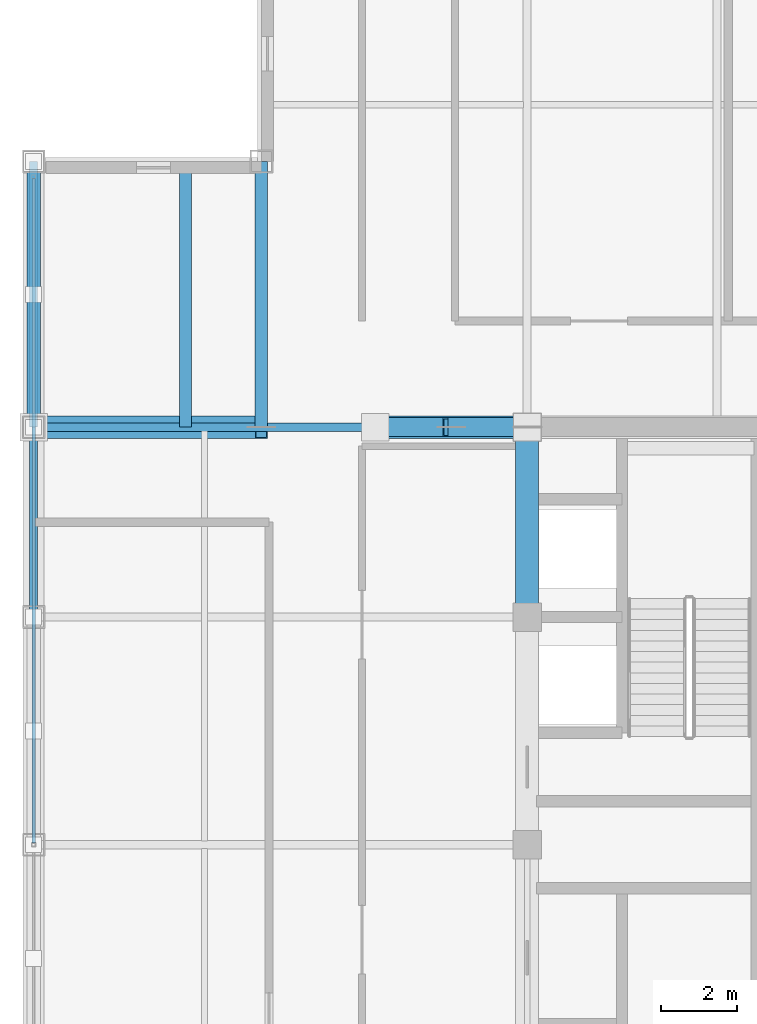
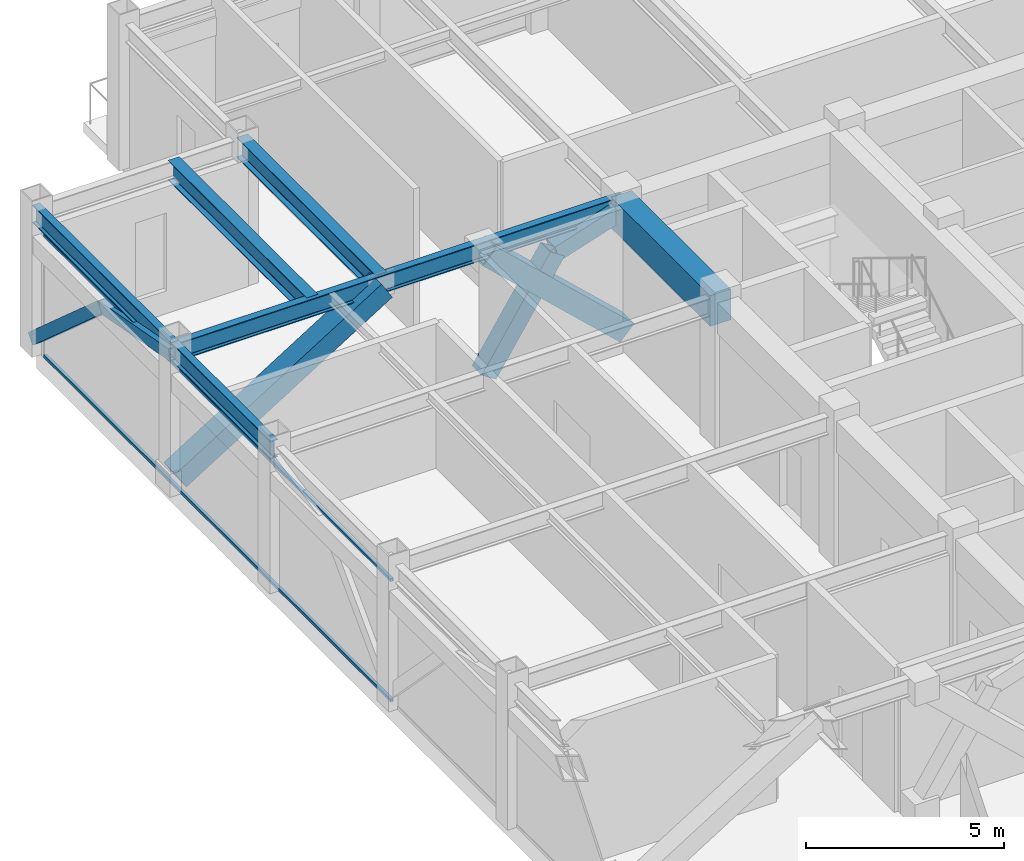
# One storey, part 13 of 32: 8 members, 6 beams, 1 element without a shape of its own.
"""IFC4 building model written with IfcOpenShell, lengths in metres."""

from ifc_helpers import new_model, si_unit, direction, frame, origin, origin_2d, place, context, subcontext, project, spatial, rectangle, hollow_rectangle, i_section, extrude, source, transform, mapped, material, material_profile, profile_set, type_object, element, aggregate, save


model = new_model("IFC4")

# Units and contexts
model_context = context("Model", 3, precision=1e-05, world=origin(), true_north=direction((0.0, 1.0)))
body_context = subcontext(model_context, "Body", "Model", "MODEL_VIEW")
ifc_project = project(units=[si_unit("LENGTHUNIT", "METRE"), si_unit("AREAUNIT", "SQUARE_METRE"), si_unit("VOLUMEUNIT", "CUBIC_METRE"), si_unit("PLANEANGLEUNIT", "RADIAN"), si_unit("MASSUNIT", "GRAM", prefix="KILO")], contexts=[model_context])

# Site, building, storey
site_placement = place(None, origin())
site = spatial("IfcSite", under=ifc_project, at=site_placement, CompositionType="ELEMENT")
building_placement = place(site_placement, origin())
building = spatial("IfcBuilding", under=site, at=building_placement, Name="Khorayat Bourse Tower", CompositionType="ELEMENT")
storey_placement = place(building_placement, frame((0.0, 0.0, 375.5)))
storey = spatial("IfcBuildingStorey", under=building, at=storey_placement, Name="L89", CompositionType="ELEMENT", Elevation=375.5)

# Member
ifc_material_1 = material(Name="Steel EN 10025-4 S460M", Category="steel")
ifc_material_profile_1 = material_profile(ifc_material_1, hollow_rectangle(XDim=0.5, YDim=0.5, WallThickness=0.028076171875, at=origin_2d()), Name="HSS 500x500x28")
ifc_profile_set_1 = profile_set([ifc_material_profile_1], Name="Steel EN 10025-4 S460M")
member_type_1 = type_object("IfcMemberType", Name="MBR-TRUSS-500", PredefinedType="CHORD", material=ifc_profile_set_1)
shared_shape_1 = source(origin(), body_context, "Body", "SweptSolid", [
    extrude(hollow_rectangle(XDim=0.5, YDim=0.5, WallThickness=0.028076171875, at=origin_2d()), origin(), (0.0, 0.0, 1.0), 3.68896484375),
])
member_1_placement = place(storey_placement, frame((-13.0, 11.0, 3.449951171875), z_axis=(-0.542144958519, 0.0, -0.840284977822), x_axis=(0.0, -1.0, 0.0)))
element("IfcMember", 1, at=member_1_placement, inside=storey, type_object=member_type_1, Name="L89 Plant Belt Web Diagonal 04", PredefinedType="CHORD", context=body_context, shape_type="MappedRepresentation", body=[
    mapped(shared_shape_1, transform((0.0, 0.0, 0.0), scale=1.0)),
])

# Beams
ifc_material_2 = material(Name="Concrete C60/75", Category="concrete")
ifc_material_profile_2 = material_profile(ifc_material_2, rectangle(XDim=0.60009765625, YDim=0.949951171875, at=origin_2d()), Name="RC 600x950")
ifc_profile_set_2 = profile_set([ifc_material_profile_2], Name="Concrete C60/75")
beam_type_1 = type_object("IfcBeamType", Name="BM-COUP-950", PredefinedType="BEAM", material=ifc_profile_set_2)
shared_shape_2 = source(origin(), body_context, "Body", "SweptSolid", [
    extrude(rectangle(XDim=0.60009765625, YDim=0.949951171875, at=origin_2d()), origin(), (0.0, 0.0, 1.0), 5.0),
])
beam_1_placement = place(storey_placement, frame((-11.0, 6.0, 3.97509765625), z_axis=(0.0, 1.0, 0.0), x_axis=(-1.0, 0.0, 0.0)))
element("IfcBeam", 2, at=beam_1_placement, inside=storey, type_object=beam_type_1, Name="L89 BM-COUP-950 BM-L89-CRX-04", PredefinedType="BEAM", context=body_context, shape_type="MappedRepresentation", body=[
    mapped(shared_shape_2, transform((0.0, 0.0, 0.0), scale=1.0)),
])
ifc_material_3 = material(Name="Steel ASTM A992 Grade 50", Category="steel")
ifc_material_profile_3 = material_profile(ifc_material_3, i_section(OverallWidth=0.214111328125, OverallDepth=0.549072265625, WebThickness=0.0146484375, FlangeThickness=0.023681640625, FilletRadius=0.013916015625, at=origin_2d()), Name="W530X138")
ifc_profile_set_3 = profile_set([ifc_material_profile_3], Name="Steel ASTM A992 Grade 50")
beam_type_2 = type_object("IfcBeamType", Name="BM-SPAN-530", PredefinedType="SPANDREL", material=ifc_profile_set_3)
shared_shape_3 = source(origin(), body_context, "Body", "SweptSolid", [
    extrude(i_section(OverallWidth=0.214111328125, OverallDepth=0.549072265625, WebThickness=0.0146484375, FlangeThickness=0.023681640625, FilletRadius=0.013916015625, at=origin_2d()), origin(), (0.0, 0.0, 1.0), 5.0),
])
beam_2_placement = place(storey_placement, frame((-24.0, 6.0, 4.175537109375), z_axis=(0.0, 1.0, 0.0), x_axis=(-1.0, 0.0, 0.0)))
element("IfcBeam", 3, at=beam_2_placement, inside=storey, type_object=beam_type_2, Name="L89 BM-SPAN-530 BM-L89-SPN-049", PredefinedType="SPANDREL", context=body_context, shape_type="MappedRepresentation", body=[
    mapped(shared_shape_3, transform((0.0, 0.0, 0.0), scale=1.0)),
])
shared_shape_4 = source(origin(), body_context, "Body", "SweptSolid", [
    extrude(i_section(OverallWidth=0.214111328125, OverallDepth=0.549072265625, WebThickness=0.0146484375, FlangeThickness=0.023681640625, FilletRadius=0.013916015625, at=origin_2d()), origin(), (0.0, 0.0, 1.0), 7.0),
])
beam_3_placement = place(storey_placement, frame((-24.0, 11.0, 4.175537109375), z_axis=(0.0, 1.0, 0.0), x_axis=(-1.0, 0.0, 0.0)))
element("IfcBeam", 4, at=beam_3_placement, inside=storey, type_object=beam_type_2, Name="L89 BM-SPAN-530 BM-L89-SPN-048", PredefinedType="SPANDREL", context=body_context, shape_type="MappedRepresentation", body=[
    mapped(shared_shape_4, transform((0.0, 0.0, 0.0), scale=1.0)),
])
ifc_material_profile_4 = material_profile(ifc_material_3, i_section(OverallWidth=0.214111328125, OverallDepth=0.549072265625, WebThickness=0.0146484375, FlangeThickness=0.023681640625, FilletRadius=0.013916015625, at=origin_2d()), Name="W530X138")
ifc_profile_set_4 = profile_set([ifc_material_profile_4], Name="Steel ASTM A992 Grade 50")
beam_type_3 = type_object("IfcBeamType", Name="BM-GIRD-530", PredefinedType="BEAM", material=ifc_profile_set_4)
shared_shape_5 = source(origin(), body_context, "Body", "SweptSolid", [
    extrude(i_section(OverallWidth=0.214111328125, OverallDepth=0.549072265625, WebThickness=0.0146484375, FlangeThickness=0.023681640625, FilletRadius=0.013916015625, at=origin_2d()), origin(), (0.0, 0.0, 1.0), 13.0),
])
beam_4_placement = place(storey_placement, frame((-24.0, 11.0, 4.175537109375), z_axis=(1.0, 0.0, 0.0), x_axis=(0.0, 1.0, 0.0)))
element("IfcBeam", 5, at=beam_4_placement, inside=storey, type_object=beam_type_3, Name="L89 BM-GIRD-530 BM-L89-RADX-075", PredefinedType="BEAM", context=body_context, shape_type="MappedRepresentation", body=[
    mapped(shared_shape_5, transform((0.0, 0.0, 0.0), scale=1.0)),
])
ifc_material_profile_5 = material_profile(ifc_material_3, i_section(OverallWidth=0.324951171875, OverallDepth=0.615966796875, WebThickness=0.013916015625, FlangeThickness=0.021484375, FilletRadius=0.01611328125, at=origin_2d()), Name="W610X174")
ifc_profile_set_5 = profile_set([ifc_material_profile_5], Name="Steel ASTM A992 Grade 50")
beam_type_4 = type_object("IfcBeamType", Name="BM-GIRD-610", PredefinedType="BEAM", material=ifc_profile_set_5)
shared_shape_6 = source(origin(), body_context, "Body", "SweptSolid", [
    extrude(i_section(OverallWidth=0.324951171875, OverallDepth=0.615966796875, WebThickness=0.013916015625, FlangeThickness=0.021484375, FilletRadius=0.01611328125, at=origin_2d()), origin(), (0.0, 0.0, 1.0), 7.0),
])
for number, where, z_axis, x_axis, name in (
    (6, (-18.0, 11.0, 4.14208984375), (0.0, 1.0, 0.0), (-1.0, 0.0, 0.0), "L89 BM-GIRD-610 BM-L89-CNRY-077"),
    (7, (-20.0, 11.0, 4.14208984375), (0.0, 1.0, 0.0), (-1.0, 0.0, 0.0), "L89 BM-GIRD-610 BM-L89-CNRY-081"),
):
    element("IfcBeam", number, at=place(storey_placement, frame(where, z_axis=z_axis, x_axis=x_axis)), inside=storey, type_object=beam_type_4, Name=name, PredefinedType="BEAM", context=body_context, shape_type="MappedRepresentation", body=[
        mapped(shared_shape_6, transform((0.0, 0.0, 0.0), scale=1.0)),
    ])

# Members
ifc_material_profile_6 = material_profile(ifc_material_1, hollow_rectangle(XDim=0.60009765625, YDim=0.60009765625, WallThickness=0.034912109375, at=origin_2d()), Name="BOX 600x600x35")
ifc_profile_set_6 = profile_set([ifc_material_profile_6], Name="Steel EN 10025-4 S460M")
member_type_2 = type_object("IfcMemberType", Name="MBR-OUTRIG-600", PredefinedType="BRACE", material=ifc_profile_set_6)
shared_shape_7 = source(origin(), body_context, "Body", "SweptSolid", [
    extrude(hollow_rectangle(XDim=0.60009765625, YDim=0.60009765625, WallThickness=0.034912109375, at=origin_2d()), origin(), (0.0, 0.0, 1.0), 5.48291015625),
])
member_2_placement = place(storey_placement, frame((-11.0, 11.0, 0.35009765625), z_axis=(-0.72953720414, 0.0, 0.683941128881), x_axis=(0.0, -1.0, 0.0)))
element("IfcMember", 8, at=member_2_placement, inside=storey, type_object=member_type_2, Name="L89 Outrigger Truss Diagonal 03", PredefinedType="BRACE", context=body_context, shape_type="MappedRepresentation", body=[
    mapped(shared_shape_7, transform((0.0, 0.0, 0.0), scale=1.0)),
])
shared_shape_8 = source(origin(), body_context, "Body", "SweptSolid", [
    extrude(hollow_rectangle(XDim=0.60009765625, YDim=0.60009765625, WallThickness=0.034912109375, at=origin_2d()), origin(), (0.0, 0.0, 1.0), 7.075439453125),
])
member_3_placement = place(storey_placement, frame((-18.0, 11.0, 4.10009765625), z_axis=(-0.847998304005, 0.0, -0.529998940003), x_axis=(0.0, -1.0, 0.0)))
element("IfcMember", 9, at=member_3_placement, inside=storey, type_object=member_type_2, Name="L89 Outrigger Truss Diagonal 04", PredefinedType="BRACE", context=body_context, shape_type="MappedRepresentation", body=[
    mapped(shared_shape_8, transform((0.0, 0.0, 0.0), scale=1.0)),
])
shared_shape_9 = source(origin(), body_context, "Body", "SweptSolid", [
    extrude(hollow_rectangle(XDim=0.5, YDim=0.5, WallThickness=0.028076171875, at=origin_2d()), origin(), (0.0, 0.0, 1.0), 2.10302734375),
])
member_4_placement = place(storey_placement, frame((-11.0, 11.0, 4.10009765625), z_axis=(-0.951013591662, 0.0, -0.309149071606), x_axis=(0.0, -1.0, 0.0)))
element("IfcMember", 10, at=member_4_placement, inside=storey, type_object=member_type_1, Name="L89 Plant Belt Web Diagonal 03", PredefinedType="CHORD", context=body_context, shape_type="MappedRepresentation", body=[
    mapped(shared_shape_9, transform((0.0, 0.0, 0.0), scale=1.0)),
])
ifc_material_4 = material(Name="Steel EN 10025-2 S355J2", Category="steel")
ifc_material_profile_7 = material_profile(ifc_material_4, hollow_rectangle(XDim=0.35009765625, YDim=0.35009765625, WallThickness=0.02001953125, at=origin_2d()), Name="HSS 350x350x20")
ifc_profile_set_7 = profile_set([ifc_material_profile_7], Name="Steel EN 10025-2 S355J2")
member_type_3 = type_object("IfcMemberType", Name="MBR-CROWN-350", PredefinedType="USERDEFINED", material=ifc_profile_set_7)
shared_shape_10 = source(origin(), body_context, "Body", "SweptSolid", [
    extrude(hollow_rectangle(XDim=0.35009765625, YDim=0.35009765625, WallThickness=0.02001953125, at=origin_2d()), origin(), (0.0, 0.0, 1.0), 3.559814453125),
])
member_5_placement = place(storey_placement, frame((-24.0, 11.0, 4.10009765625), z_axis=(0.0, 0.983181348138, -0.18263197057), x_axis=(-1.0, 0.0, 0.0)))
element("IfcMember", 11, at=member_5_placement, inside=storey, type_object=member_type_3, Name="L89 Lantern Crown Frame Member 19", ObjectType="CROWN FRAME", PredefinedType="USERDEFINED", context=body_context, shape_type="MappedRepresentation", body=[
    mapped(shared_shape_10, transform((0.0, 0.0, 0.0), scale=1.0)),
])
shared_shape_11 = source(origin(), body_context, "Body", "SweptSolid", [
    extrude(hollow_rectangle(XDim=0.35009765625, YDim=0.35009765625, WallThickness=0.02001953125, at=origin_2d()), origin(), (0.0, 0.0, 1.0), 4.67529296875),
])
member_6_placement = place(storey_placement, frame((-24.0, 14.5, 3.449951171875), z_axis=(0.0, 0.748603730842, -0.663017687675), x_axis=(-1.0, 0.0, 0.0)))
element("IfcMember", 12, at=member_6_placement, inside=storey, type_object=member_type_3, Name="L89 Lantern Crown Frame Member 20", ObjectType="CROWN FRAME", PredefinedType="USERDEFINED", context=body_context, shape_type="MappedRepresentation", body=[
    mapped(shared_shape_11, transform((0.0, 0.0, 0.0), scale=1.0)),
])

# Curtain wall, members
ifc_material_5 = material(Name="Aluminium EN AW-6063 T6", Category="aluminium")
curtain_wall_type = type_object("IfcCurtainWallType", Name="CW-SYS-07", PredefinedType="NOTDEFINED", material=ifc_material_5)
curtain_wall_placement = place(storey_placement, origin())
curtain_wall = element("IfcCurtainWall", 13, at=curtain_wall_placement, inside=storey, type_object=curtain_wall_type, Name="L89 Curtain Wall CW-L89-W1", PredefinedType="NOTDEFINED")
ifc_material_profile_8 = material_profile(ifc_material_5, hollow_rectangle(XDim=0.090087890625, YDim=0.090087890625, WallThickness=0.00390625, at=origin_2d()), Name="ALU 90x90x4")
ifc_profile_set_8 = profile_set([ifc_material_profile_8], Name="Aluminium EN AW-6063 T6")
member_type_4 = type_object("IfcMemberType", Name="CWT-HORZ-90", PredefinedType="USERDEFINED", material=ifc_profile_set_8)
shared_shape_12 = source(origin(), body_context, "Body", "SweptSolid", [
    extrude(hollow_rectangle(XDim=0.090087890625, YDim=0.090087890625, WallThickness=0.00390625, at=origin_2d()), origin(), (0.0, 0.0, 1.0), 17.5),
])
member_7_placement = place(storey_placement, frame((-24.0, 0.050048828125, 0.044921875), z_axis=(0.0, 1.0, 0.0), x_axis=(-1.0, 0.0, 0.0)))
member_7 = element("IfcMember", 14, at=member_7_placement, type_object=member_type_4, Name="CW-L89-W1 Horizontal Transom 2-1", ObjectType="TRANSOM", PredefinedType="USERDEFINED", context=body_context, shape_type="MappedRepresentation", body=[
    mapped(shared_shape_12, transform((0.0, 0.0, 0.0), scale=1.0)),
])
member_8_placement = place(storey_placement, frame((-24.0, 0.050048828125, 3.7548828125), z_axis=(0.0, 1.0, 0.0), x_axis=(-1.0, 0.0, 0.0)))
member_8 = element("IfcMember", 15, at=member_8_placement, type_object=member_type_4, Name="CW-L89-W1 Horizontal Transom 2-2", ObjectType="TRANSOM", PredefinedType="USERDEFINED", context=body_context, shape_type="MappedRepresentation", body=[
    mapped(shared_shape_12, transform((0.0, 0.0, 0.0), scale=1.0)),
])
aggregate(curtain_wall, [member_7, member_8])

save(model, "model.ifc")
